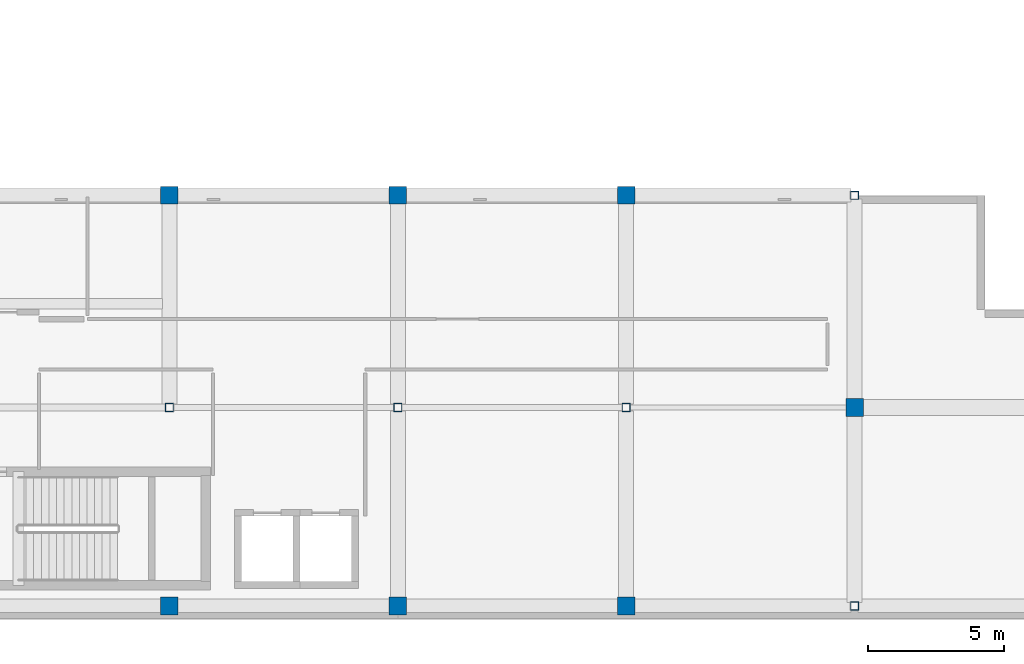
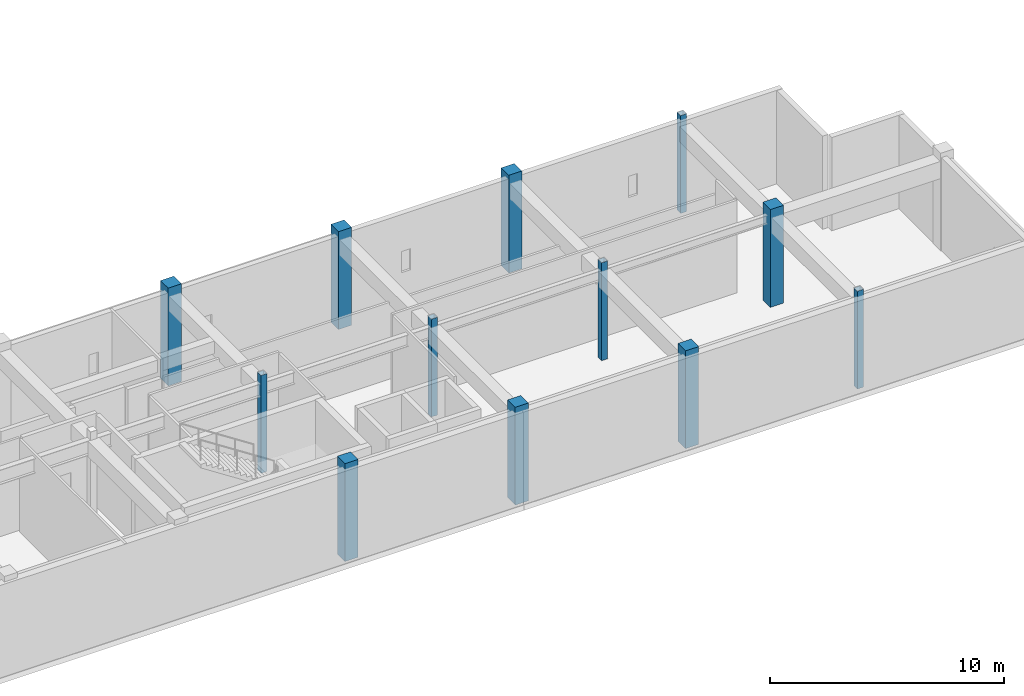
# One storey, part 2 of 103: 12 columns.
"""IFC4 building model written with IfcOpenShell, lengths in metres."""

from ifc_helpers import new_model, si_unit, direction, frame, origin, origin_2d, place, context, subcontext, project, spatial, rectangle, hollow_rectangle, extrude, material, material_profile, profile_set, type_object, element, save


model = new_model("IFC4")

# Units and contexts
model_context = context("Model", 3, precision=1e-05, world=origin(), true_north=direction((0.0, 1.0)))
body_context = subcontext(model_context, "Body", "Model", "MODEL_VIEW")
ifc_project = project(units=[si_unit("LENGTHUNIT", "METRE"), si_unit("AREAUNIT", "SQUARE_METRE"), si_unit("VOLUMEUNIT", "CUBIC_METRE"), si_unit("PLANEANGLEUNIT", "RADIAN"), si_unit("MASSUNIT", "GRAM", prefix="KILO")], contexts=[model_context])

# Site, building, storey
site_placement = place(None, origin())
site = spatial("IfcSite", under=ifc_project, at=site_placement, CompositionType="ELEMENT")
building_placement = place(site_placement, origin())
building = spatial("IfcBuilding", under=site, at=building_placement, Name="Quendrovan Civic Courthouse", CompositionType="ELEMENT")
storey_placement = place(building_placement, frame((0.0, 0.0, 15.300048828125)))
storey = spatial("IfcBuildingStorey", under=building, at=storey_placement, Name="L04", CompositionType="ELEMENT", Elevation=15.300048828125)

# Columns
ifc_material_1 = material(Name="Concrete C45/55", Category="concrete")
ifc_material_profile_1 = material_profile(ifc_material_1, rectangle(XDim=0.64990234375, YDim=0.64990234375, at=origin_2d()), Name="RC-COL-650x650")
ifc_profile_set_1 = profile_set([ifc_material_profile_1], Name="Concrete C45/55")
column_type_1 = type_object("IfcColumnType", Name="COL-RC650", PredefinedType="COLUMN", material=ifc_profile_set_1)
for number, where, z_axis, x_axis, name in (
    (1, (33.60009765625, 0.5, 0.0), (0.0, 0.0, 1.0), (1.0, 0.0, 0.0), "L04 Column 5-A"),
    (2, (33.60009765625, 15.60009765625, 0.0), (0.0, 0.0, 1.0), (1.0, 0.0, 0.0), "L04 Column 5-C"),
    (3, (42.0, 0.5, 0.0), (0.0, 0.0, 1.0), (1.0, 0.0, 0.0), "L04 Column 6-A"),
    (4, (42.0, 15.60009765625, 0.0), (0.0, 0.0, 1.0), (1.0, 0.0, 0.0), "L04 Column 6-C"),
    (5, (50.39990234375, 0.5, 0.0), (0.0, 0.0, 1.0), (1.0, 0.0, 0.0), "L04 Column 7-A"),
    (6, (50.39990234375, 15.60009765625, 0.0), (0.0, 0.0, 1.0), (1.0, 0.0, 0.0), "L04 Column 7-C"),
    (7, (58.800048828125, 7.800048828125, 0.0), (0.0, 0.0, 1.0), (1.0, 0.0, 0.0), "L04 Column 8-B"),
):
    element("IfcColumn", number, at=place(storey_placement, frame(where, z_axis=z_axis, x_axis=x_axis)), inside=storey, type_object=column_type_1, Name=name, PredefinedType="COLUMN", context=body_context, shape_type="SweptSolid", body=[
        extrude(rectangle(XDim=0.64990234375, YDim=0.64990234375, at=origin_2d()), origin(), (0.0, 0.0, 1.0), 5.099853515625),
    ])
ifc_material_2 = material(Name="Steel ASTM A500 Grade C", Category="steel")
ifc_material_profile_2 = material_profile(ifc_material_2, hollow_rectangle(XDim=0.300048828125, YDim=0.300048828125, WallThickness=0.011962890625, at=origin_2d()), Name="HSS300x300x12")
ifc_profile_set_2 = profile_set([ifc_material_profile_2], Name="Steel ASTM A500 Grade C")
column_type_2 = type_object("IfcColumnType", Name="COL-STL-HSS300S", PredefinedType="COLUMN", material=ifc_profile_set_2)
for number, where, z_axis, x_axis, name in (
    (8, (33.60009765625, 7.800048828125, 0.0), (0.0, 0.0, 1.0), (1.0, 0.0, 0.0), "L04 Column 5-B"),
    (9, (42.0, 7.800048828125, 0.0), (0.0, 0.0, 1.0), (1.0, 0.0, 0.0), "L04 Column 6-B"),
    (10, (50.39990234375, 7.800048828125, 0.0), (0.0, 0.0, 1.0), (1.0, 0.0, 0.0), "L04 Column 7-B"),
    (11, (58.800048828125, 0.5, 0.0), (0.0, 0.0, 1.0), (1.0, 0.0, 0.0), "L04 Column 8-A"),
    (12, (58.800048828125, 15.60009765625, 0.0), (0.0, 0.0, 1.0), (1.0, 0.0, 0.0), "L04 Column 8-C"),
):
    element("IfcColumn", number, at=place(storey_placement, frame(where, z_axis=z_axis, x_axis=x_axis)), inside=storey, type_object=column_type_2, Name=name, PredefinedType="COLUMN", context=body_context, shape_type="SweptSolid", body=[
        extrude(hollow_rectangle(XDim=0.300048828125, YDim=0.300048828125, WallThickness=0.011962890625, at=origin_2d()), origin(), (0.0, 0.0, 1.0), 5.099853515625),
    ])

save(model, "model.ifc")
